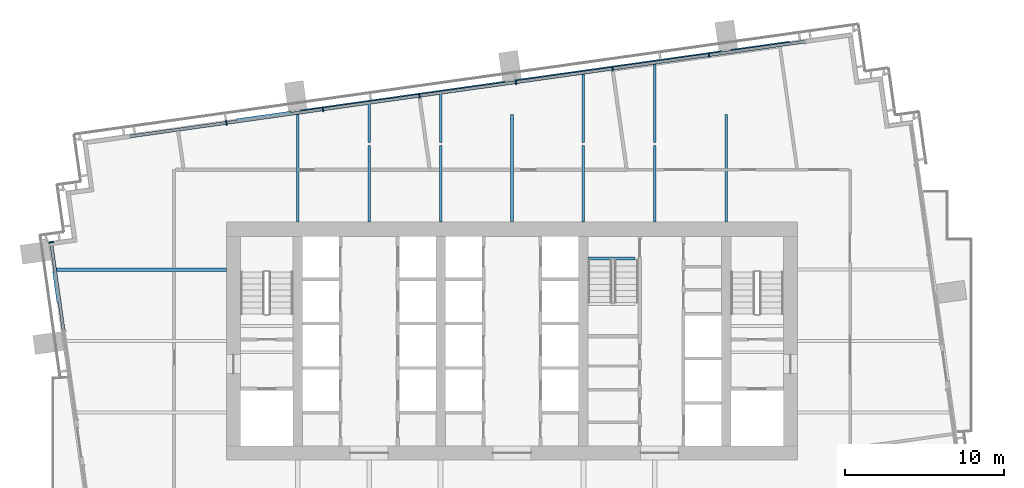
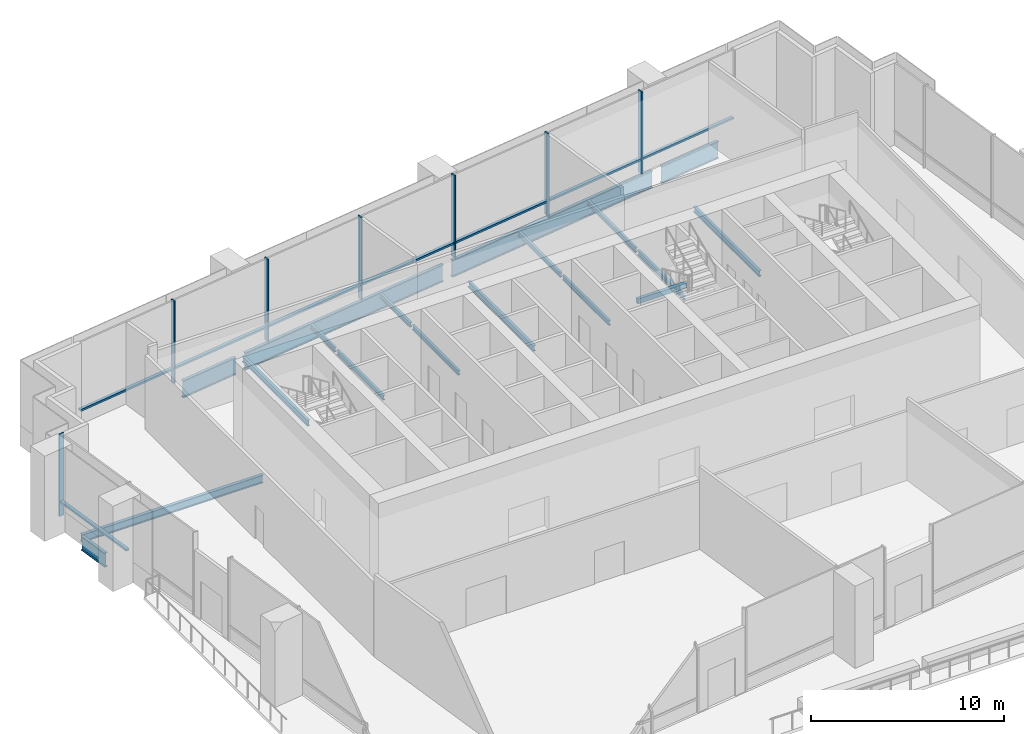
# One storey, part 4 of 17: 18 beams, 15 members, 2 elements without a shape of their own.
"""IFC4 building model written with IfcOpenShell, lengths in metres."""

from ifc_helpers import new_model, si_unit, direction, frame, origin, origin_2d, place, context, subcontext, project, spatial, rectangle, i_section, extrude, material, layer, layer_set, material_profile, profile_set, type_object, element, aggregate, save


model = new_model("IFC4")

# Units and contexts
model_context = context("Model", 3, precision=1e-05, world=origin(), true_north=direction((0.0, 1.0)))
body_context = subcontext(model_context, "Body", "Model", "MODEL_VIEW")
ifc_project = project(units=[si_unit("LENGTHUNIT", "METRE"), si_unit("AREAUNIT", "SQUARE_METRE"), si_unit("VOLUMEUNIT", "CUBIC_METRE"), si_unit("PLANEANGLEUNIT", "RADIAN"), si_unit("MASSUNIT", "GRAM", prefix="KILO")], contexts=[model_context])

# Site, building, storey
site_placement = place(None, origin())
site = spatial("IfcSite", under=ifc_project, at=site_placement, CompositionType="ELEMENT")
building_placement = place(site_placement, origin())
building = spatial("IfcBuilding", under=site, at=building_placement, Name="Rattan Terrace Tower", CompositionType="ELEMENT")
storey_placement = place(building_placement, frame((0.0, 0.0, 163.10009765625)))
storey = spatial("IfcBuildingStorey", under=building, at=storey_placement, Name="L37", CompositionType="ELEMENT", Elevation=163.10009765625)

# Beams
ifc_material_1 = material(Name="Concrete C40/50", Category="concrete")
ifc_material_profile_1 = material_profile(ifc_material_1, rectangle(XDim=0.199951171875, YDim=0.300048828125, at=origin_2d()), Name="RC 200x300")
ifc_profile_set_1 = profile_set([ifc_material_profile_1], Name="Concrete C40/50")
beam_type_1 = type_object("IfcBeamType", Name="Core landing beam RC 200x300", PredefinedType="BEAM", material=ifc_profile_set_1)
beam_1_placement = place(storey_placement, frame((4.800048828125, 5.199951171875, 2.349853515625), z_axis=(1.0, 0.0, 0.0), x_axis=(0.0, 1.0, 0.0)))
element("IfcBeam", 1, at=beam_1_placement, inside=storey, type_object=beam_type_1, Name="st-S3-L37 landing 2 edge beam", PredefinedType="BEAM", context=body_context, shape_type="SweptSolid", body=[
    extrude(rectangle(XDim=0.199951171875, YDim=0.300048828125, at=origin_2d()), origin(), (0.0, 0.0, 1.0), 2.949951171875),
])
ifc_material_2 = material(Name="Steel S460", Category="steel")
ifc_material_profile_2 = material_profile(ifc_material_2, i_section(OverallWidth=0.179931640625, OverallDepth=1.10009765625, WebThickness=0.01611328125, FlangeThickness=0.050048828125, at=origin_2d()), Name="PG 1100x180-16-50")
ifc_profile_set_2 = profile_set([ifc_material_profile_2], Name="Steel S460")
beam_type_2 = type_object("IfcBeamType", Name="Frame edge girder PG 1100x180-16-50", PredefinedType="SPANDREL", material=ifc_profile_set_2)
beam_2_placement = place(storey_placement, frame((-13.919921875, 14.402099609375, -0.75), z_axis=(-0.990290741045, -0.139011683683, 0.0), x_axis=(0.139011683683, -0.990290741045, 0.0)))
element("IfcBeam", 2, at=beam_2_placement, inside=storey, type_object=beam_type_2, Name="gdr-L37-010", PredefinedType="SPANDREL", context=body_context, shape_type="SweptSolid", body=[
    extrude(i_section(OverallWidth=0.179931640625, OverallDepth=1.10009765625, WebThickness=0.01611328125, FlangeThickness=0.050048828125, at=origin_2d()), origin(), (0.0, 0.0, 1.0), 3.461669921875),
])
beam_3_placement = place(storey_placement, frame((-0.419921875, 16.299072265625, -0.75), z_axis=(-0.990268164734, -0.139172417936, 0.0), x_axis=(0.139172417936, -0.990268164734, 0.0)))
element("IfcBeam", 3, at=beam_3_placement, inside=storey, type_object=beam_type_2, Name="gdr-L37-011", PredefinedType="SPANDREL", context=body_context, shape_type="SweptSolid", body=[
    extrude(i_section(OverallWidth=0.179931640625, OverallDepth=1.10009765625, WebThickness=0.01611328125, FlangeThickness=0.050048828125, at=origin_2d()), origin(), (0.0, 0.0, 1.0), 13.02685546875),
])
beam_4_placement = place(storey_placement, frame((13.199951171875, 18.214111328125, -0.75), z_axis=(-0.990255378542, -0.139263366568, 0.0), x_axis=(0.139263366568, -0.990255378542, 0.0)))
element("IfcBeam", 4, at=beam_4_placement, inside=storey, type_object=beam_type_2, Name="gdr-L37-012", PredefinedType="SPANDREL", context=body_context, shape_type="SweptSolid", body=[
    extrude(i_section(OverallWidth=0.179931640625, OverallDepth=1.10009765625, WebThickness=0.01611328125, FlangeThickness=0.050048828125, at=origin_2d()), origin(), (0.0, 0.0, 1.0), 13.148193359375),
])
beam_5_placement = place(storey_placement, frame((13.800048828125, 18.299072265625, -0.75), z_axis=(0.990298080335, 0.138959390059, 0.0), x_axis=(-0.138959390059, 0.990298080335, 0.0)))
element("IfcBeam", 5, at=beam_5_placement, inside=storey, type_object=beam_type_2, Name="gdr-L37-013", PredefinedType="SPANDREL", context=body_context, shape_type="SweptSolid", body=[
    extrude(i_section(OverallWidth=0.179931640625, OverallDepth=1.10009765625, WebThickness=0.01611328125, FlangeThickness=0.050048828125, at=origin_2d()), origin(), (0.0, 0.0, 1.0), 3.735107421875),
])
ifc_material_3 = material(Name="Steel S460", Category="steel")
ifc_material_profile_3 = material_profile(ifc_material_3, i_section(OverallWidth=0.179931640625, OverallDepth=0.89990234375, WebThickness=0.013916015625, FlangeThickness=0.0400390625, at=origin_2d()), Name="PG 900x180-14-40")
ifc_profile_set_3 = profile_set([ifc_material_profile_3], Name="Steel S460")
beam_type_3 = type_object("IfcBeamType", Name="Frame edge girder PG 900x180-14-40", PredefinedType="SPANDREL", material=ifc_profile_set_3)
beam_6_placement = place(storey_placement, frame((-28.85595703125, 4.368896484375, -0.650146484375), z_axis=(0.138756233086, -0.990326566229, 0.0), x_axis=(0.990326566229, 0.138756233086, 0.0)))
element("IfcBeam", 6, at=beam_6_placement, inside=storey, type_object=beam_type_3, Name="gdr-L37-009", PredefinedType="SPANDREL", context=body_context, shape_type="SweptSolid", body=[
    extrude(i_section(OverallWidth=0.179931640625, OverallDepth=0.89990234375, WebThickness=0.013916015625, FlangeThickness=0.0400390625, at=origin_2d()), origin(), (0.0, 0.0, 1.0), 1.98828125),
])
ifc_material_4 = material(Name="Steel S355", Category="steel")
ifc_material_profile_4 = material_profile(ifc_material_4, i_section(OverallWidth=0.14990234375, OverallDepth=0.300048828125, WebThickness=0.007080078125, FlangeThickness=0.0107421875, FilletRadius=0.014892578125, at=origin_2d()), Name="IPE 300")
ifc_profile_set_4 = profile_set([ifc_material_profile_4], Name="Steel S355")
beam_type_4 = type_object("IfcBeamType", Name="Frame floor beam IPE 300", PredefinedType="JOIST", material=ifc_profile_set_4)
for number, where, z_axis, x_axis, name in (
    (7, (-9.0, 7.5, -0.35009765625), (0.0, 1.0, 0.0), (-1.0, 0.0, 0.0), "bm-L37-015"),
    (8, (-4.5, 7.5, -0.35009765625), (0.0, 1.0, 0.0), (-1.0, 0.0, 0.0), "bm-L37-016"),
    (9, (4.5, 7.5, -0.35009765625), (0.0, 1.0, 0.0), (-1.0, 0.0, 0.0), "bm-L37-018"),
    (10, (9.0, 7.5, -0.35009765625), (0.0, 1.0, 0.0), (-1.0, 0.0, 0.0), "bm-L37-019"),
):
    element("IfcBeam", number, at=place(storey_placement, frame(where, z_axis=z_axis, x_axis=x_axis)), inside=storey, type_object=beam_type_4, Name=name, PredefinedType="JOIST", context=body_context, shape_type="SweptSolid", body=[
        extrude(i_section(OverallWidth=0.14990234375, OverallDepth=0.300048828125, WebThickness=0.007080078125, FlangeThickness=0.0107421875, FilletRadius=0.014892578125, at=origin_2d()), origin(), (0.0, 0.0, 1.0), 4.80908203125),
    ])
beam_7_placement = place(storey_placement, frame((-9.0, 12.510986328125, -0.35009765625), z_axis=(0.0, 1.0, 0.0), x_axis=(-1.0, 0.0, 0.0)))
element("IfcBeam", 11, at=beam_7_placement, inside=storey, type_object=beam_type_4, Name="bm-L37-021", PredefinedType="JOIST", context=body_context, shape_type="SweptSolid", body=[
    extrude(i_section(OverallWidth=0.14990234375, OverallDepth=0.300048828125, WebThickness=0.007080078125, FlangeThickness=0.0107421875, FilletRadius=0.014892578125, at=origin_2d()), origin(), (0.0, 0.0, 1.0), 2.48095703125),
])
beam_8_placement = place(storey_placement, frame((-4.5, 12.510986328125, -0.35009765625), z_axis=(0.0, 1.0, 0.0), x_axis=(-1.0, 0.0, 0.0)))
element("IfcBeam", 12, at=beam_8_placement, inside=storey, type_object=beam_type_4, Name="bm-L37-022", PredefinedType="JOIST", context=body_context, shape_type="SweptSolid", body=[
    extrude(i_section(OverallWidth=0.14990234375, OverallDepth=0.300048828125, WebThickness=0.007080078125, FlangeThickness=0.0107421875, FilletRadius=0.014892578125, at=origin_2d()), origin(), (0.0, 0.0, 1.0), 3.113037109375),
])
beam_9_placement = place(storey_placement, frame((4.5, 12.510986328125, -0.35009765625), z_axis=(0.0, 1.0, 0.0), x_axis=(-1.0, 0.0, 0.0)))
element("IfcBeam", 13, at=beam_9_placement, inside=storey, type_object=beam_type_4, Name="bm-L37-023", PredefinedType="JOIST", context=body_context, shape_type="SweptSolid", body=[
    extrude(i_section(OverallWidth=0.14990234375, OverallDepth=0.300048828125, WebThickness=0.007080078125, FlangeThickness=0.0107421875, FilletRadius=0.014892578125, at=origin_2d()), origin(), (0.0, 0.0, 1.0), 4.3779296875),
])
beam_10_placement = place(storey_placement, frame((9.0, 12.510986328125, -0.35009765625), z_axis=(0.0, 1.0, 0.0), x_axis=(-1.0, 0.0, 0.0)))
element("IfcBeam", 14, at=beam_10_placement, inside=storey, type_object=beam_type_4, Name="bm-L37-024", PredefinedType="JOIST", context=body_context, shape_type="SweptSolid", body=[
    extrude(i_section(OverallWidth=0.14990234375, OverallDepth=0.300048828125, WebThickness=0.007080078125, FlangeThickness=0.0107421875, FilletRadius=0.014892578125, at=origin_2d()), origin(), (0.0, 0.0, 1.0), 5.010986328125),
])
ifc_material_5 = material(Name="Steel S355", Category="steel")
ifc_material_profile_5 = material_profile(ifc_material_5, i_section(OverallWidth=0.169921875, OverallDepth=0.360107421875, WebThickness=0.008056640625, FlangeThickness=0.0126953125, FilletRadius=0.01806640625, at=origin_2d()), Name="IPE 360")
ifc_profile_set_5 = profile_set([ifc_material_profile_5], Name="Steel S355")
beam_type_5 = type_object("IfcBeamType", Name="Frame floor beam IPE 360", PredefinedType="JOIST", material=ifc_profile_set_5)
for number, where, z_axis, x_axis, name in (
    (15, (-13.5, 7.5, -0.380126953125), (0.0, 1.0, 0.0), (-1.0, 0.0, 0.0), "bm-L37-014"),
    (16, (0.0, 7.5, -0.380126953125), (0.0, 1.0, 0.0), (-1.0, 0.0, 0.0), "bm-L37-017"),
    (17, (13.5, 7.5, -0.380126953125), (0.0, 1.0, 0.0), (-1.0, 0.0, 0.0), "bm-L37-020"),
):
    element("IfcBeam", number, at=place(storey_placement, frame(where, z_axis=z_axis, x_axis=x_axis)), inside=storey, type_object=beam_type_5, Name=name, PredefinedType="JOIST", context=body_context, shape_type="SweptSolid", body=[
        extrude(i_section(OverallWidth=0.169921875, OverallDepth=0.360107421875, WebThickness=0.008056640625, FlangeThickness=0.0126953125, FilletRadius=0.01806640625, at=origin_2d()), origin(), (0.0, 0.0, 1.0), 6.7880859375),
    ])
ifc_material_6 = material(Name="Steel S355", Category="steel")
ifc_material_profile_6 = material_profile(ifc_material_6, i_section(OverallWidth=0.199951171875, OverallDepth=0.5, WebThickness=0.01025390625, FlangeThickness=0.01611328125, FilletRadius=0.02099609375, at=origin_2d()), Name="IPE 500")
ifc_profile_set_6 = profile_set([ifc_material_profile_6], Name="Steel S355")
beam_type_6 = type_object("IfcBeamType", Name="Frame floor beam IPE 500", PredefinedType="JOIST", material=ifc_profile_set_6)
beam_11_placement = place(storey_placement, frame((-28.84912109375, 4.5, -0.4501953125), z_axis=(1.0, 0.0, 0.0), x_axis=(0.0, 1.0, 0.0)))
element("IfcBeam", 18, at=beam_11_placement, inside=storey, type_object=beam_type_6, Name="bm-L37-012", PredefinedType="JOIST", context=body_context, shape_type="SweptSolid", body=[
    extrude(i_section(OverallWidth=0.199951171875, OverallDepth=0.5, WebThickness=0.01025390625, FlangeThickness=0.01611328125, FilletRadius=0.02099609375, at=origin_2d()), origin(), (0.0, 0.0, 1.0), 10.84912109375),
])

# Curtain wall, members
ifc_material_7 = material(Name="Steel fins, aluminium and glass", Category="steel")
ifc_layer = layer(ifc_material_7, 0.300048828125)
ifc_layer_set = layer_set([ifc_layer], Name="Sky Lobby Stick Curtain Wall")
curtain_wall_type = type_object("IfcCurtainWallType", Name="Sky Lobby Stick Curtain Wall", PredefinedType="NOTDEFINED", material=ifc_layer_set)
curtain_wall_1_placement = place(storey_placement, origin())
curtain_wall_1 = element("IfcCurtainWall", 19, at=curtain_wall_1_placement, inside=storey, type_object=curtain_wall_type, Name="Sky lobby curtain wall L37-3", PredefinedType="NOTDEFINED")
ifc_material_8 = material(Name="Steel S355", Category="steel")
ifc_material_profile_7 = material_profile(ifc_material_8, rectangle(XDim=0.080078125, YDim=0.300048828125, at=origin_2d()), Name="Steel S355 80x300")
ifc_profile_set_7 = profile_set([ifc_material_profile_7], Name="Steel S355")
member_type_1 = type_object("IfcMemberType", Name="Sky Lobby CW Fin 80x300", PredefinedType="MULLION", material=ifc_profile_set_7)
member_1_placement = place(storey_placement, frame((12.414306640625, 18.02197265625, 0.0), z_axis=(0.0, 0.0, 1.0), x_axis=(-0.990269702686, -0.139161474347, 0.0)))
member_1 = element("IfcMember", 20, at=member_1_placement, type_object=member_type_1, Name="Mullion cwl-L37-003.2", PredefinedType="MULLION", context=body_context, shape_type="SweptSolid", body=[
    extrude(rectangle(XDim=0.080078125, YDim=0.300048828125, at=origin_2d()), origin(), (0.0, 0.0, 1.0), 5.199951171875),
])
member_2_placement = place(storey_placement, frame((6.332275390625, 17.167236328125, 0.0), z_axis=(0.0, 0.0, 1.0), x_axis=(-0.990269702686, -0.139161474347, 0.0)))
member_2 = element("IfcMember", 21, at=member_2_placement, type_object=member_type_1, Name="Mullion cwl-L37-003.3", PredefinedType="MULLION", context=body_context, shape_type="SweptSolid", body=[
    extrude(rectangle(XDim=0.080078125, YDim=0.300048828125, at=origin_2d()), origin(), (0.0, 0.0, 1.0), 5.199951171875),
])
member_3_placement = place(storey_placement, frame((0.25, 16.3125, 0.0), z_axis=(0.0, 0.0, 1.0), x_axis=(-0.990269702686, -0.139161474347, 0.0)))
member_3 = element("IfcMember", 22, at=member_3_placement, type_object=member_type_1, Name="Mullion cwl-L37-003.4", PredefinedType="MULLION", context=body_context, shape_type="SweptSolid", body=[
    extrude(rectangle(XDim=0.080078125, YDim=0.300048828125, at=origin_2d()), origin(), (0.0, 0.0, 1.0), 5.199951171875),
])
member_4_placement = place(storey_placement, frame((-5.832275390625, 15.457763671875, 0.0), z_axis=(0.0, 0.0, 1.0), x_axis=(-0.990269702686, -0.139161474347, 0.0)))
member_4 = element("IfcMember", 23, at=member_4_placement, type_object=member_type_1, Name="Mullion cwl-L37-003.5", PredefinedType="MULLION", context=body_context, shape_type="SweptSolid", body=[
    extrude(rectangle(XDim=0.080078125, YDim=0.300048828125, at=origin_2d()), origin(), (0.0, 0.0, 1.0), 5.199951171875),
])
member_5_placement = place(storey_placement, frame((-11.91455078125, 14.60302734375, 0.0), z_axis=(0.0, 0.0, 1.0), x_axis=(-0.990269702686, -0.139161474347, 0.0)))
member_5 = element("IfcMember", 24, at=member_5_placement, type_object=member_type_1, Name="Mullion cwl-L37-003.6", PredefinedType="MULLION", context=body_context, shape_type="SweptSolid", body=[
    extrude(rectangle(XDim=0.080078125, YDim=0.300048828125, at=origin_2d()), origin(), (0.0, 0.0, 1.0), 5.199951171875),
])
member_6_placement = place(storey_placement, frame((-17.996826171875, 13.748291015625, 0.0), z_axis=(0.0, 0.0, 1.0), x_axis=(-0.990269702686, -0.139161474347, 0.0)))
member_6 = element("IfcMember", 25, at=member_6_placement, type_object=member_type_1, Name="Mullion cwl-L37-003.7", PredefinedType="MULLION", context=body_context, shape_type="SweptSolid", body=[
    extrude(rectangle(XDim=0.080078125, YDim=0.300048828125, at=origin_2d()), origin(), (0.0, 0.0, 1.0), 5.199951171875),
])

# Curtain wall, member
curtain_wall_2_placement = place(storey_placement, origin())
curtain_wall_2 = element("IfcCurtainWall", 26, at=curtain_wall_2_placement, inside=storey, type_object=curtain_wall_type, Name="Sky lobby curtain wall L37-4", PredefinedType="NOTDEFINED")
member_7_placement = place(storey_placement, frame((-29.035888671875, 6.223388671875, 0.0), z_axis=(0.0, 0.0, 1.0), x_axis=(0.139190856006, -0.99026557327, 0.0)))
member_7 = element("IfcMember", 27, at=member_7_placement, type_object=member_type_1, Name="Mullion cwl-L37-004.1", PredefinedType="MULLION", context=body_context, shape_type="SweptSolid", body=[
    extrude(rectangle(XDim=0.080078125, YDim=0.300048828125, at=origin_2d()), origin(), (0.0, 0.0, 1.0), 5.199951171875),
])

# Member
ifc_material_9 = material(Name="Aluminium", Category="aluminium")
ifc_material_profile_8 = material_profile(ifc_material_9, rectangle(XDim=0.199951171875, YDim=0.1201171875, at=origin_2d()), Name="Aluminium 200x120")
ifc_profile_set_8 = profile_set([ifc_material_profile_8], Name="Aluminium")
member_type_2 = type_object("IfcMemberType", Name="Sky Lobby CW Transom 200x120", PredefinedType="USERDEFINED", material=ifc_profile_set_8)
member_8_placement = place(storey_placement, frame((18.41748046875, 18.865478515625, 0.89990234375), z_axis=(-0.990272819857, -0.139139290827, 0.0), x_axis=(0.139139290827, -0.990272819857, 0.0)))
member_8 = element("IfcMember", 28, at=member_8_placement, type_object=member_type_2, Name="Transom cwl-L37-003.1", ObjectType="TRANSOM", PredefinedType="USERDEFINED", context=body_context, shape_type="SweptSolid", body=[
    extrude(rectangle(XDim=0.199951171875, YDim=0.1201171875, at=origin_2d()), origin(), (0.0, 0.0, 1.0), 6.02197265625),
])

member_9_placement = place(storey_placement, frame((12.374755859375, 18.016357421875, 0.89990234375), z_axis=(-0.990271498948, -0.139148691592, 0.0), x_axis=(0.139148691592, -0.990271498948, 0.0)))
member_9 = element("IfcMember", 29, at=member_9_placement, type_object=member_type_2, Name="Transom cwl-L37-003.2", ObjectType="TRANSOM", PredefinedType="USERDEFINED", context=body_context, shape_type="SweptSolid", body=[
    extrude(rectangle(XDim=0.199951171875, YDim=0.1201171875, at=origin_2d()), origin(), (0.0, 0.0, 1.0), 6.06201171875),
])

member_10_placement = place(storey_placement, frame((6.29248046875, 17.16162109375, 0.89990234375), z_axis=(-0.990271498948, -0.139148691592, 0.0), x_axis=(0.139148691592, -0.990271498948, 0.0)))
member_10 = element("IfcMember", 30, at=member_10_placement, type_object=member_type_2, Name="Transom cwl-L37-003.3", ObjectType="TRANSOM", PredefinedType="USERDEFINED", context=body_context, shape_type="SweptSolid", body=[
    extrude(rectangle(XDim=0.199951171875, YDim=0.1201171875, at=origin_2d()), origin(), (0.0, 0.0, 1.0), 6.06201171875),
])

member_11_placement = place(storey_placement, frame((0.21044921875, 16.306884765625, 0.89990234375), z_axis=(-0.990272278712, -0.139143142175, 0.0), x_axis=(0.139143142175, -0.990272278712, 0.0)))
member_11 = element("IfcMember", 31, at=member_11_placement, type_object=member_type_2, Name="Transom cwl-L37-003.4", ObjectType="TRANSOM", PredefinedType="USERDEFINED", context=body_context, shape_type="SweptSolid", body=[
    extrude(rectangle(XDim=0.199951171875, YDim=0.1201171875, at=origin_2d()), origin(), (0.0, 0.0, 1.0), 6.062255859375),
])

member_12_placement = place(storey_placement, frame((-5.871826171875, 15.4521484375, 0.89990234375), z_axis=(-0.990272278712, -0.139143142175, 0.0), x_axis=(0.139143142175, -0.990272278712, 0.0)))
member_12 = element("IfcMember", 32, at=member_12_placement, type_object=member_type_2, Name="Transom cwl-L37-003.5", ObjectType="TRANSOM", PredefinedType="USERDEFINED", context=body_context, shape_type="SweptSolid", body=[
    extrude(rectangle(XDim=0.199951171875, YDim=0.1201171875, at=origin_2d()), origin(), (0.0, 0.0, 1.0), 6.062255859375),
])

member_13_placement = place(storey_placement, frame((-11.9541015625, 14.597412109375, 0.89990234375), z_axis=(-0.990271498948, -0.139148691592, 0.0), x_axis=(0.139148691592, -0.990271498948, 0.0)))
member_13 = element("IfcMember", 33, at=member_13_placement, type_object=member_type_2, Name="Transom cwl-L37-003.6", ObjectType="TRANSOM", PredefinedType="USERDEFINED", context=body_context, shape_type="SweptSolid", body=[
    extrude(rectangle(XDim=0.199951171875, YDim=0.1201171875, at=origin_2d()), origin(), (0.0, 0.0, 1.0), 6.06201171875),
])

member_14_placement = place(storey_placement, frame((-18.036376953125, 13.74267578125, 0.89990234375), z_axis=(-0.990269061639, -0.139166035946, 0.0), x_axis=(0.139166035946, -0.990269061639, 0.0)))
member_14 = element("IfcMember", 34, at=member_14_placement, type_object=member_type_2, Name="Transom cwl-L37-003.7", ObjectType="TRANSOM", PredefinedType="USERDEFINED", context=body_context, shape_type="SweptSolid", body=[
    extrude(rectangle(XDim=0.199951171875, YDim=0.1201171875, at=origin_2d()), origin(), (0.0, 0.0, 1.0), 6.1083984375),
])

aggregate(curtain_wall_1, [member_1, member_2, member_3, member_4, member_5, member_6, member_8, member_9, member_10, member_11, member_12, member_13, member_14])

member_15_placement = place(storey_placement, frame((-29.0302734375, 6.183837890625, 0.89990234375), z_axis=(0.139210225227, -0.990262850556, 0.0), x_axis=(0.990262850556, 0.139210225227, 0.0)))
member_15 = element("IfcMember", 35, at=member_15_placement, type_object=member_type_2, Name="Transom cwl-L37-004.1", ObjectType="TRANSOM", PredefinedType="USERDEFINED", context=body_context, shape_type="SweptSolid", body=[
    extrude(rectangle(XDim=0.199951171875, YDim=0.1201171875, at=origin_2d()), origin(), (0.0, 0.0, 1.0), 5.534912109375),
])

aggregate(curtain_wall_2, [member_7, member_15])

save(model, "model.ifc")
